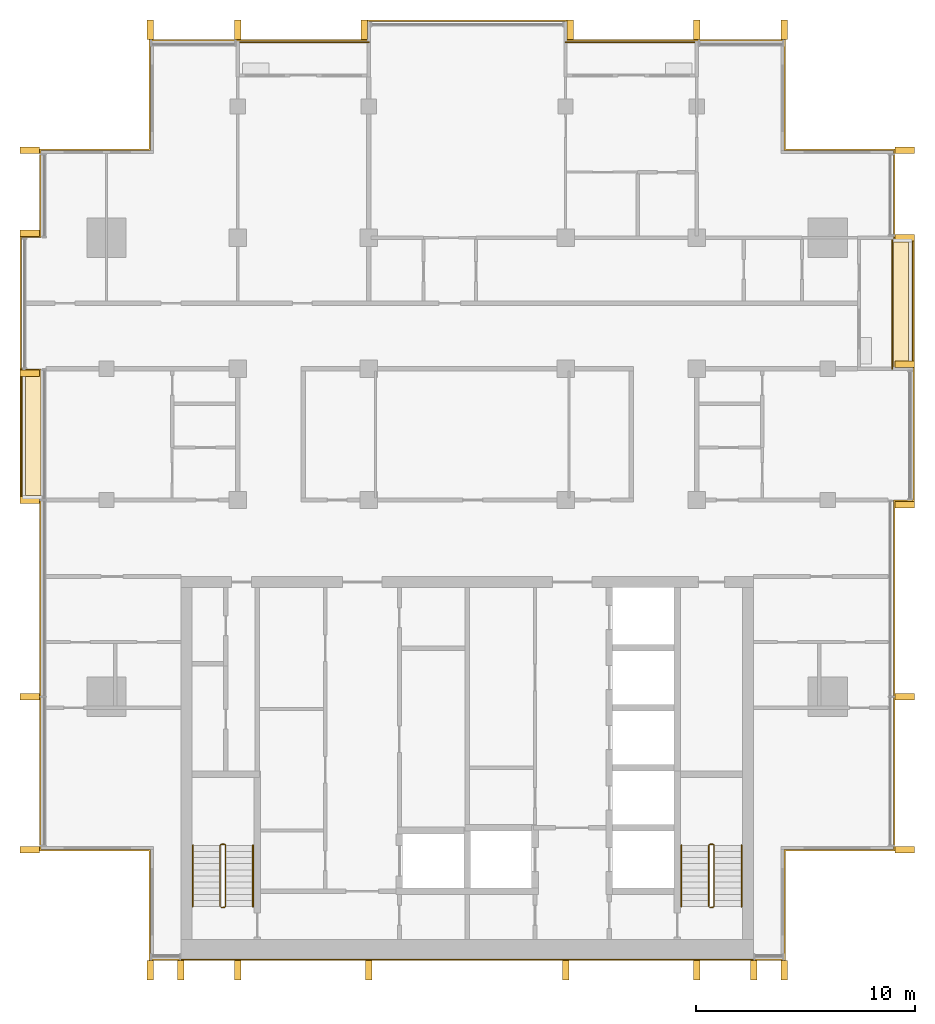
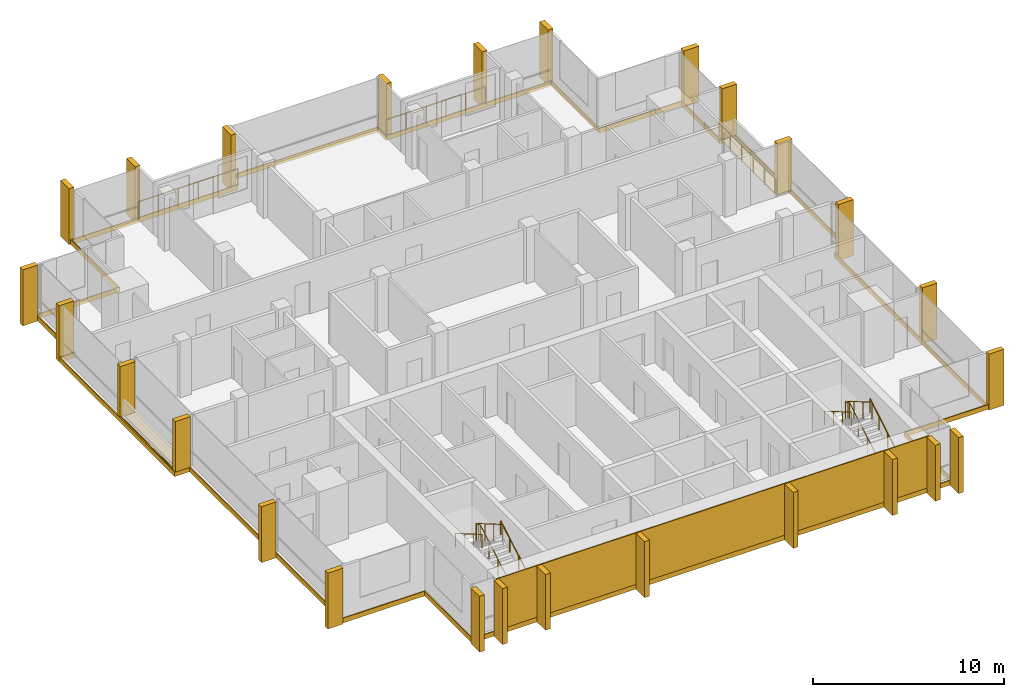
# One storey, part 16 of 16: 26 shading devices, 9 coverings, 9 railings.
"""IFC4 building model written with IfcOpenShell, lengths in metres."""

from ifc_helpers import new_model, si_unit, direction, frame, origin, origin_2d, place, context, subcontext, project, spatial, polyline, rectangle, circle, outline, extrude, material, layer, layer_set, type_object, element, save


model = new_model("IFC4")

# Units and contexts
model_context = context("Model", 3, precision=1e-05, world=origin(), true_north=direction((0.0, 1.0)))
body_context = subcontext(model_context, "Body", "Model", "MODEL_VIEW")
ifc_project = project(units=[si_unit("LENGTHUNIT", "METRE"), si_unit("AREAUNIT", "SQUARE_METRE"), si_unit("VOLUMEUNIT", "CUBIC_METRE"), si_unit("PLANEANGLEUNIT", "RADIAN"), si_unit("MASSUNIT", "GRAM", prefix="KILO")], contexts=[model_context])

# Site, building, storey
site_placement = place(None, origin())
site = spatial("IfcSite", under=ifc_project, at=site_placement, CompositionType="ELEMENT")
building_placement = place(site_placement, origin())
building = spatial("IfcBuilding", under=site, at=building_placement, Name="Finial Court Residences", CompositionType="ELEMENT")
storey_placement = place(building_placement, frame((0.0, 0.0, 259.10009765625)))
storey = spatial("IfcBuildingStorey", under=building, at=storey_placement, Name="L65", CompositionType="ELEMENT", Elevation=259.10009765625)

# Railings
ifc_material_1 = material(Name="Bronze anodised aluminium", Category="aluminium")
railing_type_1 = type_object("IfcRailingType", Name="Balcony guard 1100", PredefinedType="GUARDRAIL", material=ifc_material_1)
for number, where, name in (
    (1, (-10.5, 16.449951171875, 0.0), "E-L65-BALN2-R"),
    (2, (4.5, 16.449951171875, 0.0), "E-L65-BALN4-R"),
):
    element("IfcRailing", number, at=place(storey_placement, frame(where)), inside=storey, type_object=railing_type_1, Name=name, PredefinedType="GUARDRAIL", context=body_context, shape_type="SweptSolid", body=[
        extrude(circle(Radius=0.02392578125, at=origin_2d()), frame((0.0, 0.0, 1.076171875), z_axis=(1.0, 0.0, 0.0), x_axis=(0.0, 1.0, 0.0)), (0.0, 0.0, 1.0), 6.0),
        extrude(circle(Radius=0.02099609375, at=origin_2d()), origin(), (0.0, 0.0, 1.0), 1.052001953125),
        extrude(circle(Radius=0.02099609375, at=origin_2d()), frame((1.199951171875, 0.0, 0.0)), (0.0, 0.0, 1.0), 1.052001953125),
        extrude(circle(Radius=0.02099609375, at=origin_2d()), frame((2.39990234375, 0.0, 0.0)), (0.0, 0.0, 1.0), 1.052001953125),
        extrude(circle(Radius=0.02099609375, at=origin_2d()), frame((3.60009765625, 0.0, 0.0)), (0.0, 0.0, 1.0), 1.052001953125),
        extrude(circle(Radius=0.02099609375, at=origin_2d()), frame((4.800048828125, 0.0, 0.0)), (0.0, 0.0, 1.0), 1.052001953125),
        extrude(circle(Radius=0.02099609375, at=origin_2d()), frame((6.0, 0.0, 0.0)), (0.0, 0.0, 1.0), 1.052001953125),
    ])
railing_1_placement = place(storey_placement, frame((19.449951171875, 1.5, 0.0)))
element("IfcRailing", 3, at=railing_1_placement, inside=storey, type_object=railing_type_1, Name="E-L65-BALE4-R", PredefinedType="GUARDRAIL", context=body_context, shape_type="SweptSolid", body=[
    extrude(circle(Radius=0.02392578125, at=origin_2d()), frame((0.0, 0.0, 1.076171875), z_axis=(0.0, 1.0, 0.0), x_axis=(-1.0, 0.0, 0.0)), (0.0, 0.0, 1.0), 6.0),
    extrude(circle(Radius=0.02099609375, at=origin_2d()), origin(), (0.0, 0.0, 1.0), 1.052001953125),
    extrude(circle(Radius=0.02099609375, at=origin_2d()), frame((0.0, 1.199951171875, 0.0)), (0.0, 0.0, 1.0), 1.052001953125),
    extrude(circle(Radius=0.02099609375, at=origin_2d()), frame((0.0, 2.39990234375, 0.0)), (0.0, 0.0, 1.0), 1.052001953125),
    extrude(circle(Radius=0.02099609375, at=origin_2d()), frame((0.0, 3.60009765625, 0.0)), (0.0, 0.0, 1.0), 1.052001953125),
    extrude(circle(Radius=0.02099609375, at=origin_2d()), frame((0.0, 4.800048828125, 0.0)), (0.0, 0.0, 1.0), 1.052001953125),
    extrude(circle(Radius=0.02099609375, at=origin_2d()), frame((0.0, 6.0, 0.0)), (0.0, 0.0, 1.0), 1.052001953125),
])

# Coverings
ifc_material_2 = material(Name="Natural limestone", Category="masonry")
ifc_layer_1 = layer(ifc_material_2, 0.06005859375)
ifc_layer_set_1 = layer_set([ifc_layer_1], Name="Limestone cladding to the blind core face 60")
covering_type_1 = type_object("IfcCoveringType", Name="Limestone cladding to the blind core face 60", PredefinedType="CLADDING", material=ifc_layer_set_1)
covering_1_placement = place(storey_placement, origin())
element("IfcCovering", 4, at=covering_1_placement, inside=storey, type_object=covering_type_1, Name="E-L65-CLAD1", PredefinedType="CLADDING", context=body_context, shape_type="SweptSolid", body=[
    extrude(outline(polyline([(-10.5, -25.56005859375), (-10.5, -25.5), (-13.10009765625, -25.5), (-13.10009765625, -25.56005859375), (-10.5, -25.56005859375)])), origin(), (0.0, 0.0, 1.0), 3.2998046875),
])
covering_2_placement = place(storey_placement, origin())
element("IfcCovering", 5, at=covering_2_placement, inside=storey, type_object=covering_type_1, Name="E-L65-CLAD2", PredefinedType="CLADDING", context=body_context, shape_type="SweptSolid", body=[
    extrude(outline(polyline([(-4.5, -25.56005859375), (-4.5, -25.5), (-10.5, -25.5), (-10.5, -25.56005859375), (-4.5, -25.56005859375)])), origin(), (0.0, 0.0, 1.0), 3.2998046875),
])
covering_3_placement = place(storey_placement, origin())
element("IfcCovering", 6, at=covering_3_placement, inside=storey, type_object=covering_type_1, Name="E-L65-CLAD3", PredefinedType="CLADDING", context=body_context, shape_type="SweptSolid", body=[
    extrude(outline(polyline([(4.5, -25.56005859375), (4.5, -25.5), (-4.5, -25.5), (-4.5, -25.56005859375), (4.5, -25.56005859375)])), origin(), (0.0, 0.0, 1.0), 3.2998046875),
])
covering_4_placement = place(storey_placement, origin())
element("IfcCovering", 7, at=covering_4_placement, inside=storey, type_object=covering_type_1, Name="E-L65-CLAD4", PredefinedType="CLADDING", context=body_context, shape_type="SweptSolid", body=[
    extrude(outline(polyline([(10.5, -25.56005859375), (10.5, -25.5), (4.5, -25.5), (4.5, -25.56005859375), (10.5, -25.56005859375)])), origin(), (0.0, 0.0, 1.0), 3.2998046875),
])
covering_5_placement = place(storey_placement, origin())
element("IfcCovering", 8, at=covering_5_placement, inside=storey, type_object=covering_type_1, Name="E-L65-CLAD5", PredefinedType="CLADDING", context=body_context, shape_type="SweptSolid", body=[
    extrude(outline(polyline([(13.10009765625, -25.56005859375), (13.10009765625, -25.5), (10.5, -25.5), (10.5, -25.56005859375), (13.10009765625, -25.56005859375)])), origin(), (0.0, 0.0, 1.0), 3.2998046875),
])

# Shading devices
shading_device_type = type_object("IfcShadingDeviceType", Name="Limestone fin 300 x 900", PredefinedType="USERDEFINED", material=ifc_material_2)
for number, where, z_axis, x_axis, name in (
    (9, (-14.5, 17.010009765625, -0.300048828125), (0.0, 0.0, 1.0), (1.0, 0.0, 0.0), "E-L65-FIN-N1"),
    (10, (-10.5, 17.010009765625, -0.300048828125), (0.0, 0.0, 1.0), (1.0, 0.0, 0.0), "E-L65-FIN-N2"),
    (11, (-4.7099609375, 17.010009765625, -0.300048828125), (0.0, 0.0, 1.0), (1.0, 0.0, 0.0), "E-L65-FIN-N3"),
    (12, (4.7099609375, 17.010009765625, -0.300048828125), (0.0, 0.0, 1.0), (1.0, 0.0, 0.0), "E-L65-FIN-N4"),
    (13, (10.5, 17.010009765625, -0.300048828125), (0.0, 0.0, 1.0), (1.0, 0.0, 0.0), "E-L65-FIN-N5"),
    (14, (14.5, 17.010009765625, -0.300048828125), (0.0, 0.0, 1.0), (1.0, 0.0, 0.0), "E-L65-FIN-N6"),
):
    element("IfcShadingDevice", number, at=place(storey_placement, frame(where, z_axis=z_axis, x_axis=x_axis)), inside=storey, type_object=shading_device_type, Name=name, ObjectType="FIN", PredefinedType="USERDEFINED", context=body_context, shape_type="SweptSolid", body=[
        extrude(rectangle(XDim=0.300048828125, YDim=0.89990234375, at=origin_2d()), origin(), (0.0, 0.0, 1.0), 3.580078125),
    ])
for number, where, z_axis, x_axis, name in (
    (15, (20.010009765625, -20.5, -0.300048828125), (0.0, 0.0, 1.0), (1.0, 0.0, 0.0), "E-L65-FIN-E7"),
    (16, (20.010009765625, -13.5, -0.300048828125), (0.0, 0.0, 1.0), (1.0, 0.0, 0.0), "E-L65-FIN-E8"),
    (17, (20.010009765625, -4.7099609375, -0.300048828125), (0.0, 0.0, 1.0), (1.0, 0.0, 0.0), "E-L65-FIN-E9"),
):
    element("IfcShadingDevice", number, at=place(storey_placement, frame(where, z_axis=z_axis, x_axis=x_axis)), inside=storey, type_object=shading_device_type, Name=name, ObjectType="FIN", PredefinedType="USERDEFINED", context=body_context, shape_type="SweptSolid", body=[
        extrude(rectangle(XDim=0.89990234375, YDim=0.300048828125, at=origin_2d()), origin(), (0.0, 0.0, 1.0), 3.580078125),
    ])
for number, where, z_axis, x_axis, name in (
    (18, (20.010009765625, 1.7099609375, 0.0400390625), (0.0, 0.0, 1.0), (1.0, 0.0, 0.0), "E-L65-FIN-E10"),
    (19, (20.010009765625, 7.5, 0.0400390625), (0.0, 0.0, 1.0), (1.0, 0.0, 0.0), "E-L65-FIN-E11"),
):
    element("IfcShadingDevice", number, at=place(storey_placement, frame(where, z_axis=z_axis, x_axis=x_axis)), inside=storey, type_object=shading_device_type, Name=name, ObjectType="FIN", PredefinedType="USERDEFINED", context=body_context, shape_type="SweptSolid", body=[
        extrude(rectangle(XDim=0.89990234375, YDim=0.300048828125, at=origin_2d()), origin(), (0.0, 0.0, 1.0), 3.239990234375),
    ])
shading_device_placement = place(storey_placement, frame((20.010009765625, 11.5, -0.300048828125), z_axis=(0.0, 0.0, 1.0), x_axis=(1.0, 0.0, 0.0)))
element("IfcShadingDevice", 20, at=shading_device_placement, inside=storey, type_object=shading_device_type, Name="E-L65-FIN-E12", ObjectType="FIN", PredefinedType="USERDEFINED", context=body_context, shape_type="SweptSolid", body=[
    extrude(rectangle(XDim=0.89990234375, YDim=0.300048828125, at=origin_2d()), origin(), (0.0, 0.0, 1.0), 3.580078125),
])
for number, where, z_axis, x_axis, name in (
    (21, (-14.5, -26.010009765625, -0.300048828125), (0.0, 0.0, 1.0), (1.0, 0.0, 0.0), "E-L65-FIN-S13"),
    (22, (-13.10009765625, -26.010009765625, -0.300048828125), (0.0, 0.0, 1.0), (1.0, 0.0, 0.0), "E-L65-FIN-S14"),
    (23, (-10.5, -26.010009765625, -0.300048828125), (0.0, 0.0, 1.0), (1.0, 0.0, 0.0), "E-L65-FIN-S15"),
    (24, (-4.5, -26.010009765625, -0.300048828125), (0.0, 0.0, 1.0), (1.0, 0.0, 0.0), "E-L65-FIN-S16"),
    (25, (4.5, -26.010009765625, -0.300048828125), (0.0, 0.0, 1.0), (1.0, 0.0, 0.0), "E-L65-FIN-S17"),
    (26, (10.5, -26.010009765625, -0.300048828125), (0.0, 0.0, 1.0), (1.0, 0.0, 0.0), "E-L65-FIN-S18"),
    (27, (13.10009765625, -26.010009765625, -0.300048828125), (0.0, 0.0, 1.0), (1.0, 0.0, 0.0), "E-L65-FIN-S19"),
    (28, (14.5, -26.010009765625, -0.300048828125), (0.0, 0.0, 1.0), (1.0, 0.0, 0.0), "E-L65-FIN-S20"),
):
    element("IfcShadingDevice", number, at=place(storey_placement, frame(where, z_axis=z_axis, x_axis=x_axis)), inside=storey, type_object=shading_device_type, Name=name, ObjectType="FIN", PredefinedType="USERDEFINED", context=body_context, shape_type="SweptSolid", body=[
        extrude(rectangle(XDim=0.300048828125, YDim=0.89990234375, at=origin_2d()), origin(), (0.0, 0.0, 1.0), 3.580078125),
    ])
for number, where, z_axis, x_axis, name in (
    (29, (-20.010009765625, -20.5, -0.300048828125), (0.0, 0.0, 1.0), (1.0, 0.0, 0.0), "E-L65-FIN-W21"),
    (30, (-20.010009765625, -13.5, -0.300048828125), (0.0, 0.0, 1.0), (1.0, 0.0, 0.0), "E-L65-FIN-W22"),
):
    element("IfcShadingDevice", number, at=place(storey_placement, frame(where, z_axis=z_axis, x_axis=x_axis)), inside=storey, type_object=shading_device_type, Name=name, ObjectType="FIN", PredefinedType="USERDEFINED", context=body_context, shape_type="SweptSolid", body=[
        extrude(rectangle(XDim=0.89990234375, YDim=0.300048828125, at=origin_2d()), origin(), (0.0, 0.0, 1.0), 3.580078125),
    ])
for number, where, z_axis, x_axis, name in (
    (31, (-20.010009765625, -4.5, 0.0400390625), (0.0, 0.0, 1.0), (1.0, 0.0, 0.0), "E-L65-FIN-W23"),
    (32, (-20.010009765625, 1.2900390625, 0.0400390625), (0.0, 0.0, 1.0), (1.0, 0.0, 0.0), "E-L65-FIN-W24"),
):
    element("IfcShadingDevice", number, at=place(storey_placement, frame(where, z_axis=z_axis, x_axis=x_axis)), inside=storey, type_object=shading_device_type, Name=name, ObjectType="FIN", PredefinedType="USERDEFINED", context=body_context, shape_type="SweptSolid", body=[
        extrude(rectangle(XDim=0.89990234375, YDim=0.300048828125, at=origin_2d()), origin(), (0.0, 0.0, 1.0), 3.239990234375),
    ])
for number, where, z_axis, x_axis, name in (
    (33, (-20.010009765625, 7.7099609375, -0.300048828125), (0.0, 0.0, 1.0), (1.0, 0.0, 0.0), "E-L65-FIN-W25"),
    (34, (-20.010009765625, 11.5, -0.300048828125), (0.0, 0.0, 1.0), (1.0, 0.0, 0.0), "E-L65-FIN-W26"),
):
    element("IfcShadingDevice", number, at=place(storey_placement, frame(where, z_axis=z_axis, x_axis=x_axis)), inside=storey, type_object=shading_device_type, Name=name, ObjectType="FIN", PredefinedType="USERDEFINED", context=body_context, shape_type="SweptSolid", body=[
        extrude(rectangle(XDim=0.89990234375, YDim=0.300048828125, at=origin_2d()), origin(), (0.0, 0.0, 1.0), 3.580078125),
    ])

# Coverings
ifc_material_3 = material(Name="Pale limestone", Category="masonry")
ifc_layer_2 = layer(ifc_material_3, 0.06005859375)
ifc_layer_set_2 = layer_set([ifc_layer_2], Name="Pale limestone slab-edge band 60")
covering_type_2 = type_object("IfcCoveringType", Name="Pale limestone slab-edge band 60", PredefinedType="CLADDING", material=ifc_layer_set_2)
covering_6_placement = place(storey_placement, frame((0.0, 0.0, -0.300048828125)))
element("IfcCovering", 35, at=covering_6_placement, inside=storey, type_object=covering_type_2, Name="E-L65-BAND1", PredefinedType="CLADDING", context=body_context, shape_type="SweptSolid", body=[
    extrude(outline(polyline([(-20.4599609375, -4.56005859375), (-20.4599609375, 7.56005859375), (-19.56005859375, 7.56005859375), (-19.56005859375, 11.56005859375), (-14.56005859375, 11.56005859375), (-14.56005859375, 16.56005859375), (-4.56005859375, 16.56005859375), (-4.56005859375, 17.4599609375), (4.56005859375, 17.4599609375), (4.56005859375, 16.56005859375), (14.56005859375, 16.56005859375), (14.56005859375, 11.56005859375), (19.56005859375, 11.56005859375), (19.56005859375, 7.56005859375), (20.4599609375, 7.56005859375), (20.4599609375, -4.56005859375), (19.56005859375, -4.56005859375), (19.56005859375, -20.56005859375), (14.56005859375, -20.56005859375), (14.56005859375, -25.56005859375), (-14.56005859375, -25.56005859375), (-14.56005859375, -20.56005859375), (-19.56005859375, -20.56005859375), (-19.56005859375, -4.56005859375), (-20.4599609375, -4.56005859375)]), holes=[polyline([(-19.5, -20.5), (-14.5, -20.5), (-14.5, -25.5), (14.5, -25.5), (14.5, -20.5), (19.5, -20.5), (19.5, -4.5), (20.39990234375, -4.5), (20.39990234375, 1.5), (20.39990234375, 7.5), (19.5, 7.5), (19.5, 11.5), (14.5, 11.5), (14.5, 16.5), (10.5, 16.5), (4.5, 16.5), (4.5, 17.39990234375), (-4.5, 17.39990234375), (-4.5, 16.5), (-10.5, 16.5), (-14.5, 16.5), (-14.5, 11.5), (-19.5, 11.5), (-19.5, 7.5), (-20.39990234375, 7.5), (-20.39990234375, 1.5), (-20.39990234375, -4.5), (-19.5, -4.5), (-19.5, -20.5)])]), origin(), (0.0, 0.0, 1.0), 0.300048828125),
])
ifc_material_4 = material(Name="Bitumen membrane")
ifc_layer_3 = layer(ifc_material_4, 0.0400390625)
ifc_layer_set_3 = layer_set([ifc_layer_3], Name="Push box roofing, bitumen membrane 40")
covering_type_3 = type_object("IfcCoveringType", Name="Push box roofing, bitumen membrane 40", PredefinedType="ROOFING", material=ifc_layer_set_3)
covering_7_placement = place(storey_placement, origin())
element("IfcCovering", 36, at=covering_7_placement, inside=storey, type_object=covering_type_3, Name="E-L65-LED1", PredefinedType="ROOFING", context=body_context, shape_type="SweptSolid", body=[
    extrude(outline(polyline([(-19.5, -4.300048828125), (-20.199951171875, -4.300048828125), (-20.199951171875, 1.5), (-19.5, 1.5), (-19.5, -4.300048828125)])), origin(), (0.0, 0.0, 1.0), 0.039794921875),
])
covering_8_placement = place(storey_placement, origin())
element("IfcCovering", 37, at=covering_8_placement, inside=storey, type_object=covering_type_3, Name="E-L65-LED1b", PredefinedType="ROOFING", context=body_context, shape_type="SweptSolid", body=[
    extrude(outline(polyline([(-19.5, -4.5), (-20.39990234375, -4.5), (-20.39990234375, 1.5), (-20.35009765625, 1.5), (-20.35009765625, -4.300048828125), (-20.35009765625, -4.300048828125), (-20.35009765625, -4.449951171875), (-19.5, -4.449951171875), (-19.5, -4.5)])), origin(), (0.0, 0.0, 1.0), 0.039794921875),
])
covering_9_placement = place(storey_placement, origin())
element("IfcCovering", 38, at=covering_9_placement, inside=storey, type_object=covering_type_3, Name="E-L65-LED2", PredefinedType="ROOFING", context=body_context, shape_type="SweptSolid", body=[
    extrude(outline(polyline([(19.5, 7.5), (20.39990234375, 7.5), (20.39990234375, 1.5), (19.5, 1.5), (19.5, 7.5)]), holes=[polyline([(20.35009765625, 1.510009765625), (20.35009765625, 7.300048828125), (20.35009765625, 7.300048828125), (20.35009765625, 7.449951171875), (19.510009765625, 7.449951171875), (19.510009765625, 7.300048828125), (20.199951171875, 7.300048828125), (20.199951171875, 1.510009765625), (20.35009765625, 1.510009765625)])]), origin(), (0.0, 0.0, 1.0), 0.039794921875),
])

# Railings
ifc_material_5 = material(Name="Stainless steel railing", Category="steel")
railing_type_2 = type_object("IfcRailingType", Name="Stair guard 1100", PredefinedType="GUARDRAIL", material=ifc_material_5)
railing_2_placement = place(storey_placement, frame((-11.10009765625, -23.14990234375, 0.0)))
element("IfcRailing", 39, at=railing_2_placement, inside=storey, type_object=railing_type_2, Name="L65 ST-1 stair guard 1", PredefinedType="GUARDRAIL", context=body_context, shape_type="SweptSolid", body=[
    extrude(circle(Radius=0.02392578125, at=origin_2d()), frame((0.0, 0.0, 1.076171875), z_axis=(-1.0, 0.0, 0.0), x_axis=(0.0, -1.0, 0.0)), (0.0, 0.0, 1.0), 0.14990234375),
    extrude(circle(Radius=0.02392578125, at=origin_2d()), frame((-0.14990234375, 0.0, 1.076171875), z_axis=(0.760004195007, 0.189305074214, 0.621737253547), x_axis=(-0.241699205484, 0.970351222016, 0.0)), (0.0, 0.0, 1.0), 0.26318359375),
    extrude(circle(Radius=0.02392578125, at=origin_2d()), frame((0.050048828125, 0.0498046875, 1.23974609375), z_axis=(0.0, 0.863393664356, 0.504530851732), x_axis=(-1.0, 0.0, 0.0)), (0.0, 0.0, 1.0), 3.2431640625),
    extrude(circle(Radius=0.02392578125, at=origin_2d()), frame((0.050048828125, 2.849853515625, 2.8759765625), z_axis=(-0.707106781187, 0.707106781187, 0.0), x_axis=(-0.707106781187, -0.707106781187, 0.0)), (0.0, 0.0, 1.0), 0.07080078125),
    extrude(circle(Radius=0.02392578125, at=origin_2d()), frame((0.0, 2.89990234375, 2.8759765625), z_axis=(-1.0, 0.0, 0.0), x_axis=(0.0, -1.0, 0.0)), (0.0, 0.0, 1.0), 0.14990234375),
    extrude(circle(Radius=0.02392578125, at=origin_2d()), frame((-0.14990234375, 2.89990234375, 2.8759765625), z_axis=(-0.280456126637, -0.280456126637, 0.917980785237), x_axis=(0.707106781187, -0.707106781187, 0.0)), (0.0, 0.0, 1.0), 0.178466796875),
    extrude(circle(Radius=0.02392578125, at=origin_2d()), frame((-0.199951171875, 2.849853515625, 3.03955078125), z_axis=(0.0, -0.863393664356, 0.504530851732), x_axis=(1.0, 0.0, 0.0)), (0.0, 0.0, 1.0), 3.2431640625),
    extrude(circle(Radius=0.02099609375, at=origin_2d()), origin(), (0.0, 0.0, 1.0), 1.052001953125),
    extrude(circle(Radius=0.02099609375, at=origin_2d()), frame((-0.14990234375, 0.0, 0.0)), (0.0, 0.0, 1.0), 1.052001953125),
    extrude(circle(Radius=0.02099609375, at=origin_2d()), frame((0.050048828125, 0.0498046875, 0.16357421875)), (0.0, 0.0, 1.0), 1.052001953125),
    extrude(circle(Radius=0.02099609375, at=origin_2d()), frame((0.050048828125, 0.983154296875, 0.708984375)), (0.0, 0.0, 1.0), 1.052001953125),
    extrude(circle(Radius=0.02099609375, at=origin_2d()), frame((0.050048828125, 1.91650390625, 1.25439453125)), (0.0, 0.0, 1.0), 1.052001953125),
    extrude(circle(Radius=0.02099609375, at=origin_2d()), frame((0.050048828125, 2.849853515625, 1.7998046875)), (0.0, 0.0, 1.0), 1.052001953125),
    extrude(circle(Radius=0.02099609375, at=origin_2d()), frame((0.0, 2.89990234375, 1.7998046875)), (0.0, 0.0, 1.0), 1.052001953125),
    extrude(circle(Radius=0.02099609375, at=origin_2d()), frame((-0.14990234375, 2.89990234375, 1.7998046875)), (0.0, 0.0, 1.0), 1.052001953125),
    extrude(circle(Radius=0.02099609375, at=origin_2d()), frame((-0.199951171875, 2.849853515625, 1.963623046875)), (0.0, 0.0, 1.0), 1.052001953125),
    extrude(circle(Radius=0.02099609375, at=origin_2d()), frame((-0.199951171875, 1.91650390625, 2.509033203125)), (0.0, 0.0, 1.0), 1.052001953125),
    extrude(circle(Radius=0.02099609375, at=origin_2d()), frame((-0.199951171875, 0.983154296875, 3.054443359375)), (0.0, 0.0, 1.0), 1.052001953125),
    extrude(circle(Radius=0.02099609375, at=origin_2d()), frame((-0.199951171875, 0.0498046875, 3.599853515625)), (0.0, 0.0, 1.0), 1.052001953125),
])
railing_3_placement = place(storey_placement, frame((11.25, -23.14990234375, 0.0)))
element("IfcRailing", 40, at=railing_3_placement, inside=storey, type_object=railing_type_2, Name="L65 ST-2 stair guard 1", PredefinedType="GUARDRAIL", context=body_context, shape_type="SweptSolid", body=[
    extrude(circle(Radius=0.02392578125, at=origin_2d()), frame((0.0, 0.0, 1.076171875), z_axis=(-1.0, 0.0, 0.0), x_axis=(0.0, -1.0, 0.0)), (0.0, 0.0, 1.0), 0.14990234375),
    extrude(circle(Radius=0.02392578125, at=origin_2d()), frame((-0.14990234375, 0.0, 1.076171875), z_axis=(0.760004195007, 0.189305074214, 0.621737253547), x_axis=(-0.241699205484, 0.970351222016, 0.0)), (0.0, 0.0, 1.0), 0.26318359375),
    extrude(circle(Radius=0.02392578125, at=origin_2d()), frame((0.050048828125, 0.0498046875, 1.23974609375), z_axis=(0.0, 0.863393664356, 0.504530851732), x_axis=(-1.0, 0.0, 0.0)), (0.0, 0.0, 1.0), 3.2431640625),
    extrude(circle(Radius=0.02392578125, at=origin_2d()), frame((0.050048828125, 2.849853515625, 2.8759765625), z_axis=(-0.707106781187, 0.707106781187, 0.0), x_axis=(-0.707106781187, -0.707106781187, 0.0)), (0.0, 0.0, 1.0), 0.07080078125),
    extrude(circle(Radius=0.02392578125, at=origin_2d()), frame((0.0, 2.89990234375, 2.8759765625), z_axis=(-1.0, 0.0, 0.0), x_axis=(0.0, -1.0, 0.0)), (0.0, 0.0, 1.0), 0.14990234375),
    extrude(circle(Radius=0.02392578125, at=origin_2d()), frame((-0.14990234375, 2.89990234375, 2.8759765625), z_axis=(-0.280456126637, -0.280456126637, 0.917980785237), x_axis=(0.707106781187, -0.707106781187, 0.0)), (0.0, 0.0, 1.0), 0.178466796875),
    extrude(circle(Radius=0.02392578125, at=origin_2d()), frame((-0.199951171875, 2.849853515625, 3.03955078125), z_axis=(0.0, -0.863393664356, 0.504530851732), x_axis=(1.0, 0.0, 0.0)), (0.0, 0.0, 1.0), 3.2431640625),
    extrude(circle(Radius=0.02099609375, at=origin_2d()), origin(), (0.0, 0.0, 1.0), 1.052001953125),
    extrude(circle(Radius=0.02099609375, at=origin_2d()), frame((-0.14990234375, 0.0, 0.0)), (0.0, 0.0, 1.0), 1.052001953125),
    extrude(circle(Radius=0.02099609375, at=origin_2d()), frame((0.050048828125, 0.0498046875, 0.16357421875)), (0.0, 0.0, 1.0), 1.052001953125),
    extrude(circle(Radius=0.02099609375, at=origin_2d()), frame((0.050048828125, 0.983154296875, 0.708984375)), (0.0, 0.0, 1.0), 1.052001953125),
    extrude(circle(Radius=0.02099609375, at=origin_2d()), frame((0.050048828125, 1.91650390625, 1.25439453125)), (0.0, 0.0, 1.0), 1.052001953125),
    extrude(circle(Radius=0.02099609375, at=origin_2d()), frame((0.050048828125, 2.849853515625, 1.7998046875)), (0.0, 0.0, 1.0), 1.052001953125),
    extrude(circle(Radius=0.02099609375, at=origin_2d()), frame((0.0, 2.89990234375, 1.7998046875)), (0.0, 0.0, 1.0), 1.052001953125),
    extrude(circle(Radius=0.02099609375, at=origin_2d()), frame((-0.14990234375, 2.89990234375, 1.7998046875)), (0.0, 0.0, 1.0), 1.052001953125),
    extrude(circle(Radius=0.02099609375, at=origin_2d()), frame((-0.199951171875, 2.849853515625, 1.963623046875)), (0.0, 0.0, 1.0), 1.052001953125),
    extrude(circle(Radius=0.02099609375, at=origin_2d()), frame((-0.199951171875, 1.91650390625, 2.509033203125)), (0.0, 0.0, 1.0), 1.052001953125),
    extrude(circle(Radius=0.02099609375, at=origin_2d()), frame((-0.199951171875, 0.983154296875, 3.054443359375)), (0.0, 0.0, 1.0), 1.052001953125),
    extrude(circle(Radius=0.02099609375, at=origin_2d()), frame((-0.199951171875, 0.0498046875, 3.599853515625)), (0.0, 0.0, 1.0), 1.052001953125),
])
railing_type_3 = type_object("IfcRailingType", Name="Stair handrail 900", PredefinedType="HANDRAIL", material=ifc_material_5)
railing_4_placement = place(storey_placement, frame((-9.800048828125, -23.10009765625, 0.16357421875)))
element("IfcRailing", 41, at=railing_4_placement, inside=storey, type_object=railing_type_3, Name="L65 ST-1 stair handrail 1", PredefinedType="HANDRAIL", context=body_context, shape_type="SweptSolid", body=[
    extrude(circle(Radius=0.02392578125, at=origin_2d()), frame((0.0, 0.0, 0.8759765625), z_axis=(0.0, 0.863393664356, 0.504530851732), x_axis=(-1.0, 0.0, 0.0)), (0.0, 0.0, 1.0), 3.2431640625),
    extrude(circle(Radius=0.02099609375, at=origin_2d()), origin(), (0.0, 0.0, 1.0), 0.851806640625),
    extrude(circle(Radius=0.02099609375, at=origin_2d()), frame((0.0, 0.933349609375, 0.54541015625)), (0.0, 0.0, 1.0), 0.851806640625),
    extrude(circle(Radius=0.02099609375, at=origin_2d()), frame((0.0, 1.86669921875, 1.0908203125)), (0.0, 0.0, 1.0), 0.851806640625),
    extrude(circle(Radius=0.02099609375, at=origin_2d()), frame((0.0, 2.800048828125, 1.63623046875)), (0.0, 0.0, 1.0), 0.851806640625),
])
railing_5_placement = place(storey_placement, frame((-12.550048828125, -20.300048828125, 1.963623046875)))
element("IfcRailing", 42, at=railing_5_placement, inside=storey, type_object=railing_type_3, Name="L65 ST-1 stair handrail 2", PredefinedType="HANDRAIL", context=body_context, shape_type="SweptSolid", body=[
    extrude(circle(Radius=0.02392578125, at=origin_2d()), frame((0.0, 0.0, 0.8759765625), z_axis=(0.0, -0.863393664356, 0.504530851732), x_axis=(1.0, 0.0, 0.0)), (0.0, 0.0, 1.0), 3.2431640625),
    extrude(circle(Radius=0.02099609375, at=origin_2d()), origin(), (0.0, 0.0, 1.0), 0.851806640625),
    extrude(circle(Radius=0.02099609375, at=origin_2d()), frame((0.0, -0.933349609375, 0.54541015625)), (0.0, 0.0, 1.0), 0.851806640625),
    extrude(circle(Radius=0.02099609375, at=origin_2d()), frame((0.0, -1.86669921875, 1.0908203125)), (0.0, 0.0, 1.0), 0.851806640625),
    extrude(circle(Radius=0.02099609375, at=origin_2d()), frame((0.0, -2.800048828125, 1.63623046875)), (0.0, 0.0, 1.0), 0.851806640625),
])
railing_6_placement = place(storey_placement, frame((12.550048828125, -23.10009765625, 0.16357421875)))
element("IfcRailing", 43, at=railing_6_placement, inside=storey, type_object=railing_type_3, Name="L65 ST-2 stair handrail 1", PredefinedType="HANDRAIL", context=body_context, shape_type="SweptSolid", body=[
    extrude(circle(Radius=0.02392578125, at=origin_2d()), frame((0.0, 0.0, 0.8759765625), z_axis=(0.0, 0.863393664356, 0.504530851732), x_axis=(-1.0, 0.0, 0.0)), (0.0, 0.0, 1.0), 3.2431640625),
    extrude(circle(Radius=0.02099609375, at=origin_2d()), origin(), (0.0, 0.0, 1.0), 0.851806640625),
    extrude(circle(Radius=0.02099609375, at=origin_2d()), frame((0.0, 0.933349609375, 0.54541015625)), (0.0, 0.0, 1.0), 0.851806640625),
    extrude(circle(Radius=0.02099609375, at=origin_2d()), frame((0.0, 1.86669921875, 1.0908203125)), (0.0, 0.0, 1.0), 0.851806640625),
    extrude(circle(Radius=0.02099609375, at=origin_2d()), frame((0.0, 2.800048828125, 1.63623046875)), (0.0, 0.0, 1.0), 0.851806640625),
])
railing_7_placement = place(storey_placement, frame((9.800048828125, -20.300048828125, 1.963623046875)))
element("IfcRailing", 44, at=railing_7_placement, inside=storey, type_object=railing_type_3, Name="L65 ST-2 stair handrail 2", PredefinedType="HANDRAIL", context=body_context, shape_type="SweptSolid", body=[
    extrude(circle(Radius=0.02392578125, at=origin_2d()), frame((0.0, 0.0, 0.8759765625), z_axis=(0.0, -0.863393664356, 0.504530851732), x_axis=(1.0, 0.0, 0.0)), (0.0, 0.0, 1.0), 3.2431640625),
    extrude(circle(Radius=0.02099609375, at=origin_2d()), origin(), (0.0, 0.0, 1.0), 0.851806640625),
    extrude(circle(Radius=0.02099609375, at=origin_2d()), frame((0.0, -0.933349609375, 0.54541015625)), (0.0, 0.0, 1.0), 0.851806640625),
    extrude(circle(Radius=0.02099609375, at=origin_2d()), frame((0.0, -1.86669921875, 1.0908203125)), (0.0, 0.0, 1.0), 0.851806640625),
    extrude(circle(Radius=0.02099609375, at=origin_2d()), frame((0.0, -2.800048828125, 1.63623046875)), (0.0, 0.0, 1.0), 0.851806640625),
])

save(model, "model.ifc")
